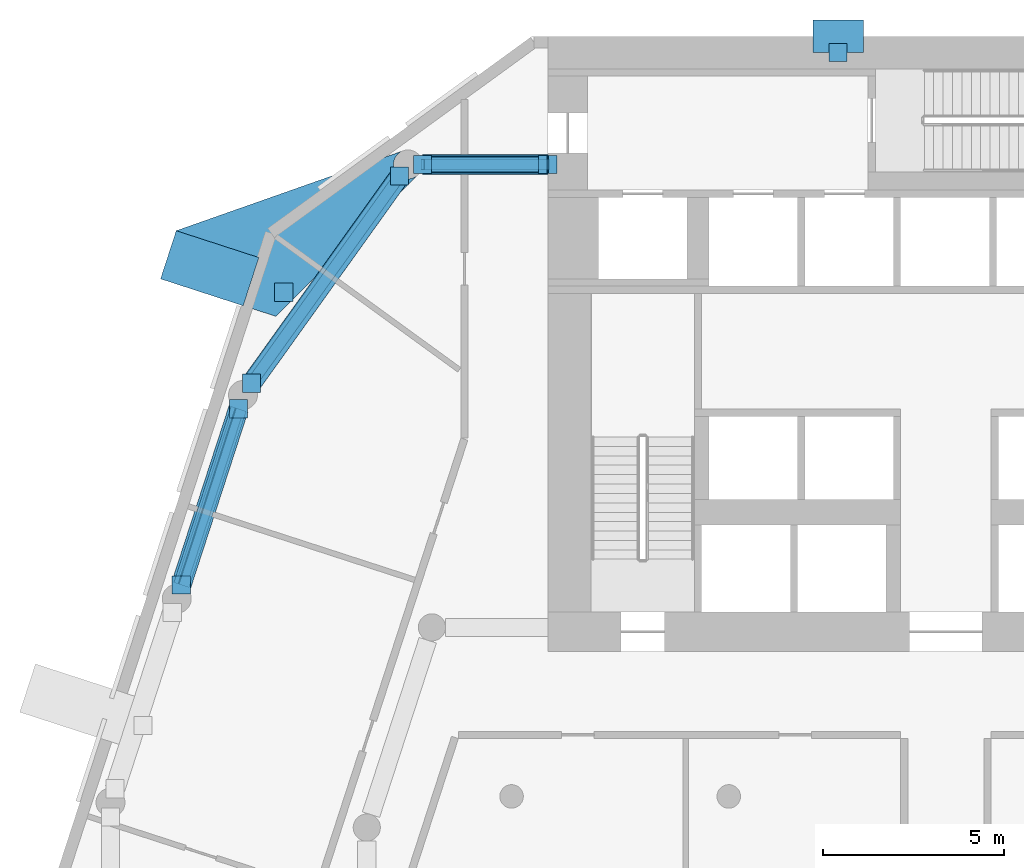
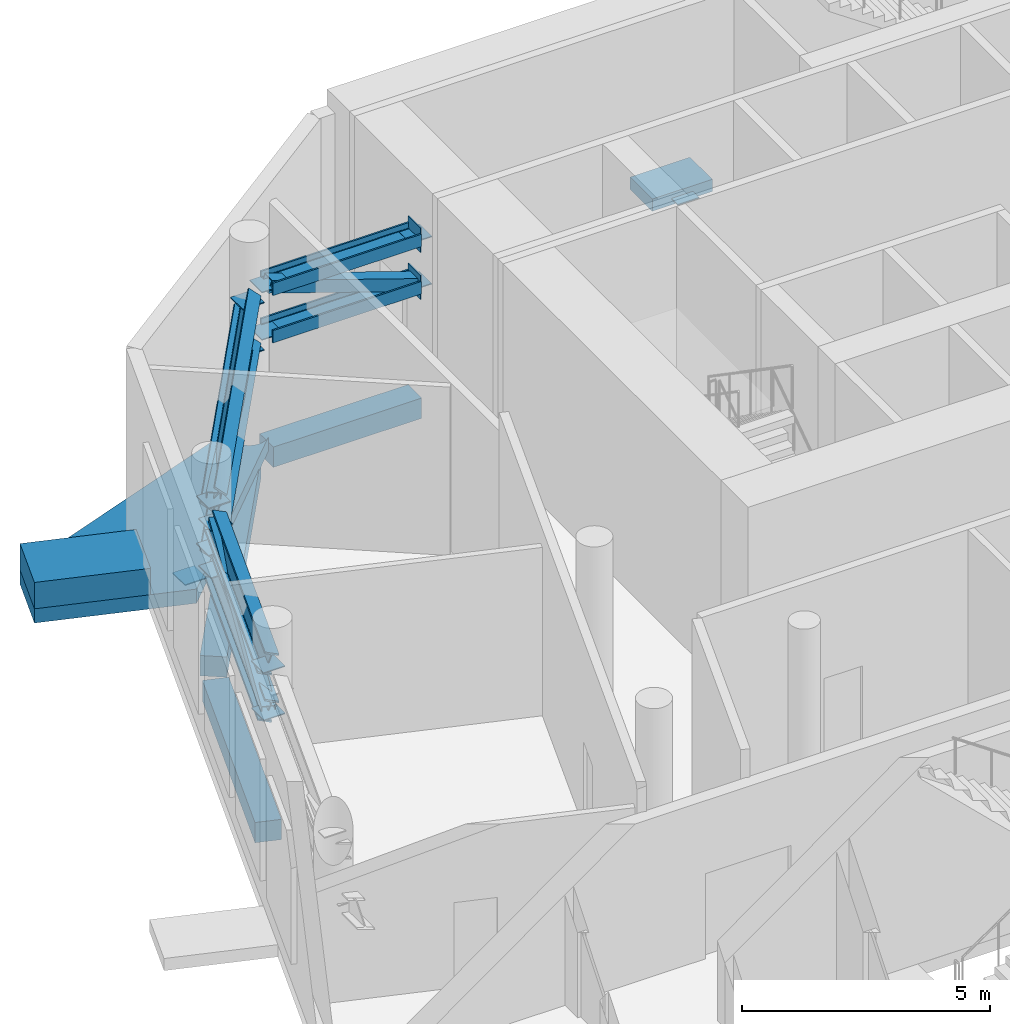
# One storey, part 4 of 15: 16 discrete accessories, 12 members, 3 beams.
"""IFC4 building model written with IfcOpenShell, lengths in metres."""

from ifc_helpers import new_model, si_unit, direction, frame, origin, origin_2d, place, context, subcontext, project, spatial, polyline, rectangle, hollow_rectangle, i_section, outline, extrude, material, layer, layer_set, material_profile, profile_set, type_object, element, aggregate, save


model = new_model("IFC4")

# Units and contexts
model_context = context("Model", 3, precision=1e-05, world=origin(), true_north=direction((0.0, 1.0)))
body_context = subcontext(model_context, "Body", "Model", "MODEL_VIEW")
ifc_project = project(units=[si_unit("LENGTHUNIT", "METRE"), si_unit("AREAUNIT", "SQUARE_METRE"), si_unit("VOLUMEUNIT", "CUBIC_METRE"), si_unit("PLANEANGLEUNIT", "RADIAN"), si_unit("MASSUNIT", "GRAM", prefix="KILO")], contexts=[model_context])

# Site, building, storey
site_placement = place(None, origin())
site = spatial("IfcSite", under=ifc_project, at=site_placement, CompositionType="ELEMENT")
building_placement = place(site_placement, origin())
building = spatial("IfcBuilding", under=site, at=building_placement, Name="White Candle Pilgrim Tower", CompositionType="ELEMENT")
storey_placement = place(building_placement, frame((0.0, 0.0, 137.60009765625)))
storey = spatial("IfcBuildingStorey", under=building, at=storey_placement, Name="L31", CompositionType="ELEMENT", Elevation=137.60009765625)

# Member
ifc_material_1 = material(Name="Steel S355", Category="steel")
ifc_material_profile_1 = material_profile(ifc_material_1, i_section(OverallWidth=0.305908203125, OverallDepth=0.52392578125, WebThickness=0.02099609375, FlangeThickness=0.0400390625, FilletRadius=0.027099609375, at=origin_2d()), Name="HEM 500")
ifc_profile_set_1 = profile_set([ifc_material_profile_1], Name="Steel S355")
member_type_1 = type_object("IfcMemberType", Name="Belt truss chord HEM 500 S355", PredefinedType="CHORD", material=ifc_profile_set_1)
member_1_placement = place(storey_placement, frame((55.5400390625, 84.4599609375, 2.411865234375), z_axis=(1.0, 0.0, 0.0), x_axis=(0.0, 0.0, 1.0)))
member_1 = element("IfcMember", 1, at=member_1_placement, inside=storey, type_object=member_type_1, Name="L31 belt truss bottom chord 10", PredefinedType="CHORD", context=body_context, shape_type="SweptSolid", body=[
    extrude(i_section(OverallWidth=0.305908203125, OverallDepth=0.52392578125, WebThickness=0.02099609375, FlangeThickness=0.0400390625, FilletRadius=0.027099609375, at=origin_2d()), origin(), (0.0, 0.0, 1.0), 3.4599609375),
])

member_2_placement = place(storey_placement, frame((55.5400390625, 84.4599609375, 3.577880859375), z_axis=(1.0, 0.0, 0.0), x_axis=(0.0, 0.0, 1.0)))
member_2 = element("IfcMember", 2, at=member_2_placement, inside=storey, type_object=member_type_1, Name="L31 belt truss top chord 10", PredefinedType="CHORD", context=body_context, shape_type="SweptSolid", body=[
    extrude(i_section(OverallWidth=0.305908203125, OverallDepth=0.52392578125, WebThickness=0.02099609375, FlangeThickness=0.0400390625, FilletRadius=0.027099609375, at=origin_2d()), origin(), (0.0, 0.0, 1.0), 3.4599609375),
])

member_3_placement = place(storey_placement, frame((54.9072265625, 84.135009765625, 2.411865234375), z_axis=(-0.582065224797, -0.813142099563, 0.0), x_axis=(0.661186955495, -0.473292348397, -0.582087762139)))
member_3 = element("IfcMember", 3, at=member_3_placement, inside=storey, type_object=member_type_1, Name="L31 belt truss bottom chord 11", PredefinedType="CHORD", context=body_context, shape_type="SweptSolid", body=[
    extrude(i_section(OverallWidth=0.305908203125, OverallDepth=0.52392578125, WebThickness=0.02099609375, FlangeThickness=0.0400390625, FilletRadius=0.027099609375, at=origin_2d()), origin(), (0.0, 0.0, 1.0), 7.034423828125),
])

member_4_placement = place(storey_placement, frame((54.9072265625, 84.135009765625, 3.577880859375), z_axis=(-0.582065224797, -0.813142099563, 0.0), x_axis=(0.661186955495, -0.473292348397, -0.582087762139)))
member_4 = element("IfcMember", 4, at=member_4_placement, inside=storey, type_object=member_type_1, Name="L31 belt truss top chord 11", PredefinedType="CHORD", context=body_context, shape_type="SweptSolid", body=[
    extrude(i_section(OverallWidth=0.305908203125, OverallDepth=0.52392578125, WebThickness=0.02099609375, FlangeThickness=0.0400390625, FilletRadius=0.027099609375, at=origin_2d()), origin(), (0.0, 0.0, 1.0), 7.034423828125),
])

member_5_placement = place(storey_placement, frame((50.456298828125, 77.709716796875, 2.411865234375), z_axis=(-0.309123808161, -0.95102180376, 0.0), x_axis=(0.904440757929, -0.293982924726, -0.309129350543)))
member_5 = element("IfcMember", 5, at=member_5_placement, inside=storey, type_object=member_type_1, Name="L31 belt truss bottom chord 12", PredefinedType="CHORD", context=body_context, shape_type="SweptSolid", body=[
    extrude(i_section(OverallWidth=0.305908203125, OverallDepth=0.52392578125, WebThickness=0.02099609375, FlangeThickness=0.0400390625, FilletRadius=0.027099609375, at=origin_2d()), origin(), (0.0, 0.0, 1.0), 5.1201171875),
])

member_6_placement = place(storey_placement, frame((50.456298828125, 77.709716796875, 3.577880859375), z_axis=(-0.309123808161, -0.95102180376, 0.0), x_axis=(0.904440757929, -0.293982924726, -0.309129350543)))
member_6 = element("IfcMember", 6, at=member_6_placement, inside=storey, type_object=member_type_1, Name="L31 belt truss top chord 12", PredefinedType="CHORD", context=body_context, shape_type="SweptSolid", body=[
    extrude(i_section(OverallWidth=0.305908203125, OverallDepth=0.52392578125, WebThickness=0.02099609375, FlangeThickness=0.0400390625, FilletRadius=0.027099609375, at=origin_2d()), origin(), (0.0, 0.0, 1.0), 5.1201171875),
])

# Members
ifc_material_profile_2 = material_profile(ifc_material_1, hollow_rectangle(XDim=0.300048828125, YDim=0.300048828125, WallThickness=0.01611328125, at=origin_2d()), Name="SHS 300x300x16")
ifc_profile_set_2 = profile_set([ifc_material_profile_2], Name="Steel S355")
member_type_2 = type_object("IfcMemberType", Name="Belt truss diagonal SHS 300x300x16 S355", PredefinedType="BRACE", material=ifc_profile_set_2)
member_7_placement = place(storey_placement, frame((55.5400390625, 84.4599609375, 3.577880859375), z_axis=(0.947635016043, 0.0, -0.319355407608), x_axis=(0.0, 1.0, 0.0)))
element("IfcMember", 7, at=member_7_placement, inside=storey, type_object=member_type_2, Name="L31 belt truss diagonal 10", PredefinedType="BRACE", context=body_context, shape_type="SweptSolid", body=[
    extrude(hollow_rectangle(XDim=0.300048828125, YDim=0.300048828125, WallThickness=0.01611328125, at=origin_2d()), origin(), (0.0, 0.0, 1.0), 3.651123046875),
])
member_8_placement = place(storey_placement, frame((54.9072265625, 84.135009765625, 2.411865234375), z_axis=(-0.574229901216, -0.802196193166, 0.163527637482), x_axis=(0.813142099563, -0.582065224797, 0.0)))
element("IfcMember", 8, at=member_8_placement, inside=storey, type_object=member_type_2, Name="L31 belt truss diagonal 11", PredefinedType="BRACE", context=body_context, shape_type="SweptSolid", body=[
    extrude(hollow_rectangle(XDim=0.300048828125, YDim=0.300048828125, WallThickness=0.01611328125, at=origin_2d()), origin(), (0.0, 0.0, 1.0), 7.13037109375),
])
member_9_placement = place(storey_placement, frame((50.456298828125, 77.709716796875, 3.577880859375), z_axis=(-0.301406950662, -0.927280831552, -0.222045287114), x_axis=(0.95102180376, -0.309123808161, 0.0)))
element("IfcMember", 9, at=member_9_placement, inside=storey, type_object=member_type_2, Name="L31 belt truss diagonal 12", PredefinedType="BRACE", context=body_context, shape_type="SweptSolid", body=[
    extrude(hollow_rectangle(XDim=0.300048828125, YDim=0.300048828125, WallThickness=0.01611328125, at=origin_2d()), origin(), (0.0, 0.0, 1.0), 5.251220703125),
])

# Member
ifc_material_2 = material(Name="Concrete C70/85, white", Category="concrete")
ifc_layer_1 = layer(ifc_material_2, 0.300048828125)
ifc_layer_set_1 = layer_set([ifc_layer_1], Name="Node tie strut 3350x1400x300 C70/85")
member_type_3 = type_object("IfcMemberType", Name="Node tie strut 3350x1400x300 C70/85", PredefinedType="STRUT", material=ifc_layer_set_1)
member_10_placement = place(storey_placement, frame((0.0, 0.0, -0.35009765625)))
member_10 = element("IfcMember", 10, at=member_10_placement, inside=storey, type_object=member_type_3, Name="Node tie strut NC099", PredefinedType="STRUT", context=body_context, shape_type="SweptSolid", body=[
    extrude(outline(polyline([(51.489013671875, 80.26220703125), (55.4228515625, 84.17724609375), (55.40380859375, 84.1591796875), (55.383544921875, 84.142578125), (55.3623046875, 84.12744140625), (55.340087890625, 84.113525390625), (55.31689453125, 84.101318359375), (55.293212890625, 84.09033203125), (55.2685546875, 84.081298828125), (55.243408203125, 84.073486328125), (55.218017578125, 84.067626953125), (55.192138671875, 84.0634765625), (55.166259765625, 84.060791015625), (55.139892578125, 84.06005859375), (55.11376953125, 84.060791015625), (55.087890625, 84.0634765625), (55.06201171875, 84.067626953125), (55.03662109375, 84.073486328125), (55.011474609375, 84.081298828125), (54.98681640625, 84.09033203125), (54.963134765625, 84.101318359375), (54.93994140625, 84.113525390625), (54.917724609375, 84.12744140625), (54.896484375, 84.142578125), (54.876220703125, 84.1591796875), (54.857177734375, 84.17724609375), (54.83935546875, 84.1962890625), (54.82275390625, 84.216552734375), (54.807373046875, 84.23779296875), (54.793701171875, 84.260009765625), (54.78125, 84.283203125), (54.7705078125, 84.306884765625), (54.76123046875, 84.331298828125), (54.753662109375, 84.3564453125), (54.747802734375, 84.382080078125), (54.743408203125, 84.40771484375), (54.740966796875, 84.433837890625), (54.739990234375, 84.4599609375), (54.740966796875, 84.486083984375), (54.743408203125, 84.51220703125), (54.747802734375, 84.5380859375), (54.753662109375, 84.5634765625), (54.76123046875, 84.588623046875), (54.7705078125, 84.613037109375), (54.78125, 84.636962890625), (54.793701171875, 84.659912109375), (54.807373046875, 84.68212890625), (54.82275390625, 84.70361328125), (54.83935546875, 84.7236328125), (54.857177734375, 84.742919921875), (54.876220703125, 84.7607421875), (54.896484375, 84.77734375), (54.917724609375, 84.79248046875), (54.93994140625, 84.806396484375), (54.963134765625, 84.818603515625), (54.98681640625, 84.82958984375), (55.011474609375, 84.8388671875), (48.735595703125, 82.628662109375), (48.302978515625, 81.29736328125), (51.489013671875, 80.26220703125)])), origin(), (0.0, 0.0, 1.0), 0.35009765625),
])

member_11_placement = place(storey_placement, origin())
element("IfcMember", 11, at=member_11_placement, inside=storey, type_object=member_type_3, Name="Node tie strut NC099", PredefinedType="STRUT", context=body_context, shape_type="SweptSolid", body=[
    extrude(outline(polyline([(50.58544921875, 80.5556640625), (51.01806640625, 81.88720703125), (48.735595703125, 82.628662109375), (48.302978515625, 81.29736328125), (50.58544921875, 80.5556640625)])), origin(), (0.0, 0.0, 1.0), 0.64990234375),
])

ifc_layer_2 = layer(ifc_material_2, 0.300048828125)
ifc_layer_set_2 = layer_set([ifc_layer_2], Name="Node tie strut 900x1400x300 C70/85")
member_type_4 = type_object("IfcMemberType", Name="Node tie strut 900x1400x300 C70/85", PredefinedType="STRUT", material=ifc_layer_set_2)
member_12_placement = place(storey_placement, frame((67.02099609375, 88.0, -0.30029296875), z_axis=(0.0, 0.0, 1.0), x_axis=(-1.0, 0.0, 0.0)))
member_12 = element("IfcMember", 12, at=member_12_placement, inside=storey, type_object=member_type_4, Name="Node tie strut NC094", PredefinedType="STRUT", context=body_context, shape_type="SweptSolid", body=[
    extrude(rectangle(XDim=1.39990234375, YDim=0.89990234375, at=origin_2d()), origin(), (0.0, 0.0, 1.0), 0.300048828125),
])

# Beams
ifc_material_3 = material(Name="Concrete C50/60", Category="concrete")
ifc_material_profile_3 = material_profile(ifc_material_3, rectangle(XDim=0.550048828125, YDim=0.5, at=origin_2d()), Name="RC-BM 550x500")
ifc_profile_set_3 = profile_set([ifc_material_profile_3], Name="Concrete C50/60")
beam_type = type_object("IfcBeamType", Name="Spandrel beam RC-BM 550x500 C50/60", PredefinedType="BEAM", material=ifc_profile_set_3)
beam_1_placement = place(storey_placement, frame((55.5400390625, 84.4599609375, -0.550048828125), z_axis=(1.0, 0.0, 0.0), x_axis=(0.0, 1.0, 0.0)))
element("IfcBeam", 13, at=beam_1_placement, inside=storey, type_object=beam_type, Name="L31 spandrel beam T10", PredefinedType="BEAM", context=body_context, shape_type="SweptSolid", body=[
    extrude(rectangle(XDim=0.550048828125, YDim=0.5, at=origin_2d()), origin(), (0.0, 0.0, 1.0), 3.4599609375),
])
beam_2_placement = place(storey_placement, frame((54.9072265625, 84.135009765625, -0.550048828125), z_axis=(-0.582065224797, -0.813142099563, 0.0), x_axis=(0.813142099563, -0.582065224797, 0.0)))
element("IfcBeam", 14, at=beam_2_placement, inside=storey, type_object=beam_type, Name="L31 spandrel beam T11", PredefinedType="BEAM", context=body_context, shape_type="SweptSolid", body=[
    extrude(rectangle(XDim=0.550048828125, YDim=0.5, at=origin_2d()), origin(), (0.0, 0.0, 1.0), 7.034423828125),
])
beam_3_placement = place(storey_placement, frame((50.456298828125, 77.709716796875, -0.550048828125), z_axis=(-0.309123808161, -0.95102180376, 0.0), x_axis=(0.95102180376, -0.309123808161, 0.0)))
element("IfcBeam", 15, at=beam_3_placement, inside=storey, type_object=beam_type, Name="L31 spandrel beam T12", PredefinedType="BEAM", context=body_context, shape_type="SweptSolid", body=[
    extrude(rectangle(XDim=0.550048828125, YDim=0.5, at=origin_2d()), origin(), (0.0, 0.0, 1.0), 5.1201171875),
])

# Discrete accessory
ifc_layer_3 = layer(ifc_material_1, 0.030029296875)
ifc_layer_set_3 = layer_set([ifc_layer_3], Name="Cast-in plate 500x600x30 S355")
discrete_accessory_type_1 = type_object("IfcDiscreteAccessoryType", Name="Cast-in plate 500x600x30 S355", PredefinedType="ANCHORPLATE", material=ifc_layer_set_3)
discrete_accessory_1_placement = place(storey_placement, frame((59.0, 84.4599609375, 2.11181640625), z_axis=(0.0, 0.0, 1.0), x_axis=(-1.0, 0.0, 0.0)))
discrete_accessory_1 = element("IfcDiscreteAccessory", 16, at=discrete_accessory_1_placement, type_object=discrete_accessory_type_1, Name="Cast-in plate 0011", PredefinedType="ANCHORPLATE", context=body_context, shape_type="SweptSolid", body=[
    extrude(rectangle(XDim=0.030029296875, YDim=0.5, at=origin_2d()), origin(), (0.0, 0.0, 1.0), 0.60009765625),
])

discrete_accessory_2_placement = place(storey_placement, frame((59.0, 84.4599609375, 3.27783203125), z_axis=(0.0, 0.0, 1.0), x_axis=(-1.0, 0.0, 0.0)))
discrete_accessory_2 = element("IfcDiscreteAccessory", 17, at=discrete_accessory_2_placement, type_object=discrete_accessory_type_1, Name="Cast-in plate 0012", PredefinedType="ANCHORPLATE", context=body_context, shape_type="SweptSolid", body=[
    extrude(rectangle(XDim=0.030029296875, YDim=0.5, at=origin_2d()), origin(), (0.0, 0.0, 1.0), 0.60009765625),
])

ifc_layer_4 = layer(ifc_material_1, 0.02490234375)
ifc_layer_set_4 = layer_set([ifc_layer_4], Name="Gusset plate 500x500x25 S355")
discrete_accessory_type_2 = type_object("IfcDiscreteAccessoryType", Name="Gusset plate 500x500x25 S355", PredefinedType="BRACKET", material=ifc_layer_set_4)
discrete_accessory_3_placement = place(storey_placement, frame((67.02099609375, 87.550048828125, -0.16259765625), z_axis=(0.0, 0.0, 1.0), x_axis=(1.0, 0.0, 0.0)))
discrete_accessory_3 = element("IfcDiscreteAccessory", 18, at=discrete_accessory_3_placement, type_object=discrete_accessory_type_2, Name="Gusset plate 0475", PredefinedType="BRACKET", context=body_context, shape_type="SweptSolid", body=[
    extrude(rectangle(XDim=0.5, YDim=0.5, at=origin_2d()), origin(), (0.0, 0.0, 1.0), 0.02490234375),
])

aggregate(member_12, [discrete_accessory_3])

discrete_accessory_4_placement = place(storey_placement, frame((51.705322265625, 80.927734375, -0.16259765625), z_axis=(0.0, 0.0, 1.0), x_axis=(1.0, 0.0, 0.0)))
discrete_accessory_4 = element("IfcDiscreteAccessory", 19, at=discrete_accessory_4_placement, type_object=discrete_accessory_type_2, Name="Gusset plate 0480", PredefinedType="BRACKET", context=body_context, shape_type="SweptSolid", body=[
    extrude(rectangle(XDim=0.5, YDim=0.5, at=origin_2d()), origin(), (0.0, 0.0, 1.0), 0.02490234375),
])

aggregate(member_10, [discrete_accessory_4])

discrete_accessory_5_placement = place(storey_placement, frame((55.5400390625, 84.4599609375, 2.3994140625), z_axis=(0.0, 0.0, 1.0), x_axis=(1.0, 0.0, 0.0)))
discrete_accessory_5 = element("IfcDiscreteAccessory", 20, at=discrete_accessory_5_placement, type_object=discrete_accessory_type_2, Name="Gusset plate 0758", PredefinedType="BRACKET", context=body_context, shape_type="SweptSolid", body=[
    extrude(rectangle(XDim=0.5, YDim=0.5, at=origin_2d()), origin(), (0.0, 0.0, 1.0), 0.02490234375),
])

discrete_accessory_6_placement = place(storey_placement, frame((59.0, 84.4599609375, 2.3994140625), z_axis=(0.0, 0.0, 1.0), x_axis=(1.0, 0.0, 0.0)))
discrete_accessory_6 = element("IfcDiscreteAccessory", 21, at=discrete_accessory_6_placement, type_object=discrete_accessory_type_2, Name="Gusset plate 0759", PredefinedType="BRACKET", context=body_context, shape_type="SweptSolid", body=[
    extrude(rectangle(XDim=0.5, YDim=0.5, at=origin_2d()), origin(), (0.0, 0.0, 1.0), 0.02490234375),
])

aggregate(member_1, [discrete_accessory_5, discrete_accessory_6, discrete_accessory_1])

discrete_accessory_7_placement = place(storey_placement, frame((55.5400390625, 84.4599609375, 3.5654296875), z_axis=(0.0, 0.0, 1.0), x_axis=(1.0, 0.0, 0.0)))
discrete_accessory_7 = element("IfcDiscreteAccessory", 22, at=discrete_accessory_7_placement, type_object=discrete_accessory_type_2, Name="Gusset plate 0760", PredefinedType="BRACKET", context=body_context, shape_type="SweptSolid", body=[
    extrude(rectangle(XDim=0.5, YDim=0.5, at=origin_2d()), origin(), (0.0, 0.0, 1.0), 0.02490234375),
])

discrete_accessory_8_placement = place(storey_placement, frame((59.0, 84.4599609375, 3.5654296875), z_axis=(0.0, 0.0, 1.0), x_axis=(1.0, 0.0, 0.0)))
discrete_accessory_8 = element("IfcDiscreteAccessory", 23, at=discrete_accessory_8_placement, type_object=discrete_accessory_type_2, Name="Gusset plate 0761", PredefinedType="BRACKET", context=body_context, shape_type="SweptSolid", body=[
    extrude(rectangle(XDim=0.5, YDim=0.5, at=origin_2d()), origin(), (0.0, 0.0, 1.0), 0.02490234375),
])

aggregate(member_2, [discrete_accessory_7, discrete_accessory_8, discrete_accessory_2])

discrete_accessory_9_placement = place(storey_placement, frame((54.9072265625, 84.135009765625, 2.3994140625), z_axis=(0.0, 0.0, 1.0), x_axis=(1.0, 0.0, 0.0)))
discrete_accessory_9 = element("IfcDiscreteAccessory", 24, at=discrete_accessory_9_placement, type_object=discrete_accessory_type_2, Name="Gusset plate 0762", PredefinedType="BRACKET", context=body_context, shape_type="SweptSolid", body=[
    extrude(rectangle(XDim=0.5, YDim=0.5, at=origin_2d()), origin(), (0.0, 0.0, 1.0), 0.02490234375),
])

discrete_accessory_10_placement = place(storey_placement, frame((50.812744140625, 78.4150390625, 2.3994140625), z_axis=(0.0, 0.0, 1.0), x_axis=(1.0, 0.0, 0.0)))
discrete_accessory_10 = element("IfcDiscreteAccessory", 25, at=discrete_accessory_10_placement, type_object=discrete_accessory_type_2, Name="Gusset plate 0763", PredefinedType="BRACKET", context=body_context, shape_type="SweptSolid", body=[
    extrude(rectangle(XDim=0.5, YDim=0.5, at=origin_2d()), origin(), (0.0, 0.0, 1.0), 0.02490234375),
])

aggregate(member_3, [discrete_accessory_9, discrete_accessory_10])

discrete_accessory_11_placement = place(storey_placement, frame((54.9072265625, 84.135009765625, 3.5654296875), z_axis=(0.0, 0.0, 1.0), x_axis=(1.0, 0.0, 0.0)))
discrete_accessory_11 = element("IfcDiscreteAccessory", 26, at=discrete_accessory_11_placement, type_object=discrete_accessory_type_2, Name="Gusset plate 0764", PredefinedType="BRACKET", context=body_context, shape_type="SweptSolid", body=[
    extrude(rectangle(XDim=0.5, YDim=0.5, at=origin_2d()), origin(), (0.0, 0.0, 1.0), 0.02490234375),
])

discrete_accessory_12_placement = place(storey_placement, frame((50.812744140625, 78.4150390625, 3.5654296875), z_axis=(0.0, 0.0, 1.0), x_axis=(1.0, 0.0, 0.0)))
discrete_accessory_12 = element("IfcDiscreteAccessory", 27, at=discrete_accessory_12_placement, type_object=discrete_accessory_type_2, Name="Gusset plate 0765", PredefinedType="BRACKET", context=body_context, shape_type="SweptSolid", body=[
    extrude(rectangle(XDim=0.5, YDim=0.5, at=origin_2d()), origin(), (0.0, 0.0, 1.0), 0.02490234375),
])

aggregate(member_4, [discrete_accessory_11, discrete_accessory_12])

discrete_accessory_13_placement = place(storey_placement, frame((50.456298828125, 77.709716796875, 2.3994140625), z_axis=(0.0, 0.0, 1.0), x_axis=(1.0, 0.0, 0.0)))
discrete_accessory_13 = element("IfcDiscreteAccessory", 28, at=discrete_accessory_13_placement, type_object=discrete_accessory_type_2, Name="Gusset plate 0766", PredefinedType="BRACKET", context=body_context, shape_type="SweptSolid", body=[
    extrude(rectangle(XDim=0.5, YDim=0.5, at=origin_2d()), origin(), (0.0, 0.0, 1.0), 0.02490234375),
])

discrete_accessory_14_placement = place(storey_placement, frame((48.87353515625, 72.84033203125, 2.3994140625), z_axis=(0.0, 0.0, 1.0), x_axis=(1.0, 0.0, 0.0)))
discrete_accessory_14 = element("IfcDiscreteAccessory", 29, at=discrete_accessory_14_placement, type_object=discrete_accessory_type_2, Name="Gusset plate 0767", PredefinedType="BRACKET", context=body_context, shape_type="SweptSolid", body=[
    extrude(rectangle(XDim=0.5, YDim=0.5, at=origin_2d()), origin(), (0.0, 0.0, 1.0), 0.02490234375),
])

aggregate(member_5, [discrete_accessory_13, discrete_accessory_14])

discrete_accessory_15_placement = place(storey_placement, frame((50.456298828125, 77.709716796875, 3.5654296875), z_axis=(0.0, 0.0, 1.0), x_axis=(1.0, 0.0, 0.0)))
discrete_accessory_15 = element("IfcDiscreteAccessory", 30, at=discrete_accessory_15_placement, type_object=discrete_accessory_type_2, Name="Gusset plate 0768", PredefinedType="BRACKET", context=body_context, shape_type="SweptSolid", body=[
    extrude(rectangle(XDim=0.5, YDim=0.5, at=origin_2d()), origin(), (0.0, 0.0, 1.0), 0.02490234375),
])

discrete_accessory_16_placement = place(storey_placement, frame((48.87353515625, 72.84033203125, 3.5654296875), z_axis=(0.0, 0.0, 1.0), x_axis=(1.0, 0.0, 0.0)))
discrete_accessory_16 = element("IfcDiscreteAccessory", 31, at=discrete_accessory_16_placement, type_object=discrete_accessory_type_2, Name="Gusset plate 0769", PredefinedType="BRACKET", context=body_context, shape_type="SweptSolid", body=[
    extrude(rectangle(XDim=0.5, YDim=0.5, at=origin_2d()), origin(), (0.0, 0.0, 1.0), 0.02490234375),
])

aggregate(member_6, [discrete_accessory_15, discrete_accessory_16])

save(model, "model.ifc")
